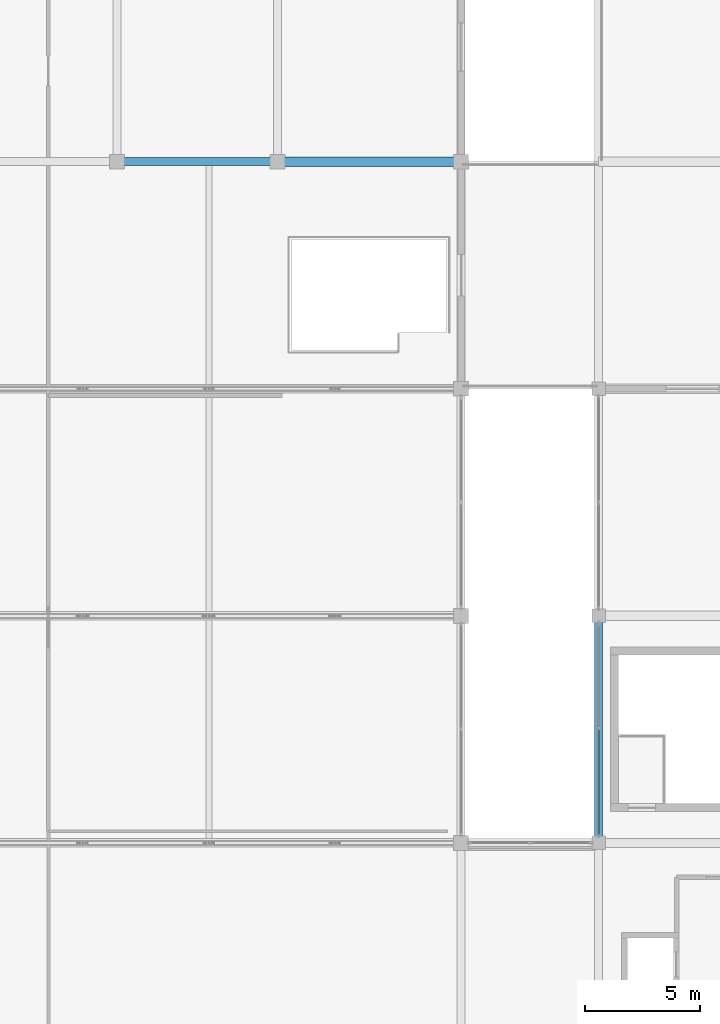
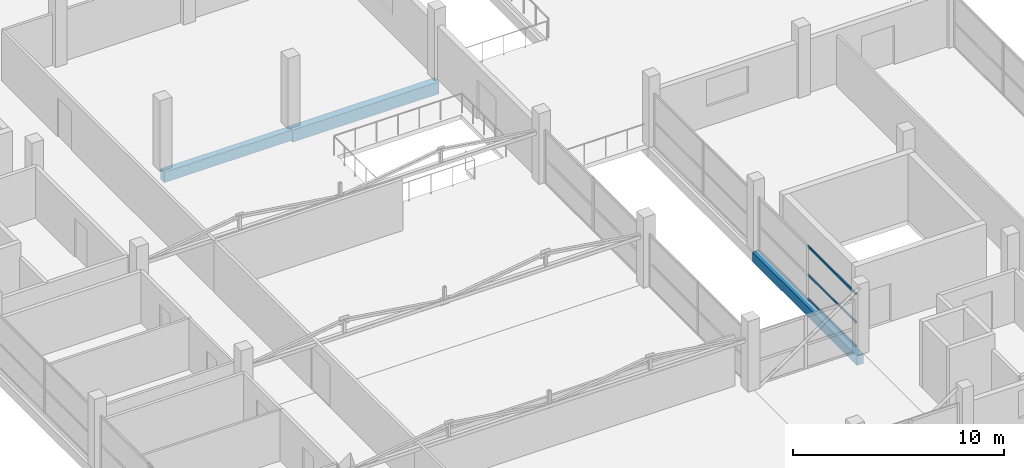
# One storey, part 29 of 53: 3 beams, 3 members, 1 element without a shape of its own.
"""IFC4 building model written with IfcOpenShell, lengths in metres."""

from ifc_helpers import new_model, si_unit, direction, frame, origin, origin_2d, place, context, subcontext, project, spatial, rectangle, hollow_rectangle, extrude, material, layer, layer_set, material_profile, profile_set, type_object, element, aggregate, save


model = new_model("IFC4")

# Units and contexts
model_context = context("Model", 3, precision=1e-05, world=origin(), true_north=direction((0.0, 1.0)))
body_context = subcontext(model_context, "Body", "Model", "MODEL_VIEW")
ifc_project = project(units=[si_unit("LENGTHUNIT", "METRE"), si_unit("AREAUNIT", "SQUARE_METRE"), si_unit("VOLUMEUNIT", "CUBIC_METRE"), si_unit("PLANEANGLEUNIT", "RADIAN"), si_unit("MASSUNIT", "GRAM", prefix="KILO")], contexts=[model_context])

# Site, building, storey
site_placement = place(None, origin())
site = spatial("IfcSite", under=ifc_project, at=site_placement, CompositionType="ELEMENT")
building_placement = place(site_placement, origin())
building = spatial("IfcBuilding", under=site, at=building_placement, Name="Sillaruma Civic Art Gallery", CompositionType="ELEMENT")
storey_placement = place(building_placement, frame((0.0, 0.0, 70.3798828125)))
storey = spatial("IfcBuildingStorey", under=building, at=storey_placement, Name="L14", CompositionType="ELEMENT", Elevation=70.3798828125)

# Beams
ifc_material_1 = material(Name="Concrete H35 (35 MPa)", Category="concrete")
ifc_material_profile_1 = material_profile(ifc_material_1, rectangle(XDim=0.35009765625, YDim=0.60009765625, at=origin_2d()), Name="RCB350x600")
ifc_profile_set_1 = profile_set([ifc_material_profile_1], Name="Concrete H35 (35 MPa)")
beam_type_1 = type_object("IfcBeamType", Name="BM-BEAM-RCB350x600", PredefinedType="BEAM", material=ifc_profile_set_1)
beam_1_placement = place(storey_placement, frame((77.0, 79.199951171875, -0.5498046875), z_axis=(1.0, 0.0, 0.0), x_axis=(0.0, 1.0, 0.0)))
element("IfcBeam", 1, at=beam_1_placement, inside=storey, type_object=beam_type_1, Name="Beam BM-06 (L13:9:H-J)", PredefinedType="BEAM", context=body_context, shape_type="SweptSolid", body=[
    extrude(rectangle(XDim=0.35009765625, YDim=0.60009765625, at=origin_2d()), origin(), (0.0, 0.0, 1.0), 7.0),
])
ifc_material_profile_2 = material_profile(ifc_material_1, rectangle(XDim=0.39990234375, YDim=0.699951171875, at=origin_2d()), Name="RCB400x700")
ifc_profile_set_2 = profile_set([ifc_material_profile_2], Name="Concrete H35 (35 MPa)")
beam_type_2 = type_object("IfcBeamType", Name="BM-BEAM-RCB400x700", PredefinedType="BEAM", material=ifc_profile_set_2)
beam_2_placement = place(storey_placement, frame((84.0, 79.199951171875, -0.599853515625), z_axis=(1.0, 0.0, 0.0), x_axis=(0.0, 1.0, 0.0)))
element("IfcBeam", 2, at=beam_2_placement, inside=storey, type_object=beam_type_2, Name="Beam BM-04 (L13:9:J-K)", PredefinedType="BEAM", context=body_context, shape_type="SweptSolid", body=[
    extrude(rectangle(XDim=0.39990234375, YDim=0.699951171875, at=origin_2d()), origin(), (0.0, 0.0, 1.0), 8.0),
])
ifc_material_profile_3 = material_profile(ifc_material_1, rectangle(XDim=0.35009765625, YDim=0.550048828125, at=origin_2d()), Name="RCB350x550")
ifc_profile_set_3 = profile_set([ifc_material_profile_3], Name="Concrete H35 (35 MPa)")
beam_type_3 = type_object("IfcBeamType", Name="BM-SPANDREL-RCB350x550", PredefinedType="SPANDREL", material=ifc_profile_set_3)
beam_3_placement = place(storey_placement, frame((98.0, 49.5, -0.52490234375), z_axis=(0.0, 1.0, 0.0), x_axis=(-1.0, 0.0, 0.0)))
element("IfcBeam", 3, at=beam_3_placement, inside=storey, type_object=beam_type_3, Name="Beam BS-04 (L13:L:6-7)", PredefinedType="SPANDREL", context=body_context, shape_type="SweptSolid", body=[
    extrude(rectangle(XDim=0.35009765625, YDim=0.550048828125, at=origin_2d()), origin(), (0.0, 0.0, 1.0), 9.89990234375),
])

# Curtain wall, members
ifc_material_2 = material(Name="Thermally Broken Extruded Aluminium 6063-T6", Category="aluminium")
ifc_layer = layer(ifc_material_2, 0.179931640625, Name="Thermally Broken Extruded Aluminium 6063-T6")
ifc_layer_set = layer_set([ifc_layer], Name="Thermally Broken Extruded Aluminium 6063-T6")
curtain_wall_type = type_object("IfcCurtainWallType", Name="CW-UNI-100", PredefinedType="NOTDEFINED", material=ifc_layer_set)
curtain_wall_placement = place(storey_placement, origin())
curtain_wall = element("IfcCurtainWall", 4, at=curtain_wall_placement, inside=storey, type_object=curtain_wall_type, Name="Unitised Curtain Wall CW-100 (CW-L14-EHH-W1)", PredefinedType="NOTDEFINED")
ifc_material_profile_4 = material_profile(ifc_material_2, hollow_rectangle(XDim=0.06494140625, YDim=0.1201171875, WallThickness=0.00341796875, at=origin_2d()), Name="CWT65x120")
ifc_profile_set_4 = profile_set([ifc_material_profile_4], Name="Thermally Broken Extruded Aluminium 6063-T6")
member_type = type_object("IfcMemberType", Name="MEM-TRN-CWT65x120", PredefinedType="USERDEFINED", material=ifc_profile_set_4)
member_1_placement = place(storey_placement, frame((98.0, 49.8701171875, 0.03271484375), z_axis=(0.0, 1.0, 0.0), x_axis=(-1.0, 0.0, 0.0)))
member_1 = element("IfcMember", 5, at=member_1_placement, type_object=member_type, Name="CW-100 transom 1.1", ObjectType="TRANSOM", PredefinedType="USERDEFINED", context=body_context, shape_type="SweptSolid", body=[
    extrude(hollow_rectangle(XDim=0.06494140625, YDim=0.1201171875, WallThickness=0.00341796875, at=origin_2d()), origin(), (0.0, 0.0, 1.0), 4.544921875),
])
member_2_placement = place(storey_placement, frame((98.0, 49.8701171875, 1.4169921875), z_axis=(0.0, 1.0, 0.0), x_axis=(-1.0, 0.0, 0.0)))
member_2 = element("IfcMember", 6, at=member_2_placement, type_object=member_type, Name="CW-100 transom 1.2", ObjectType="TRANSOM", PredefinedType="USERDEFINED", context=body_context, shape_type="SweptSolid", body=[
    extrude(hollow_rectangle(XDim=0.06494140625, YDim=0.1201171875, WallThickness=0.00341796875, at=origin_2d()), origin(), (0.0, 0.0, 1.0), 4.544921875),
])
member_3_placement = place(storey_placement, frame((98.0, 49.8701171875, 3.047607421875), z_axis=(0.0, 1.0, 0.0), x_axis=(-1.0, 0.0, 0.0)))
member_3 = element("IfcMember", 7, at=member_3_placement, type_object=member_type, Name="CW-100 transom 1.3", ObjectType="TRANSOM", PredefinedType="USERDEFINED", context=body_context, shape_type="SweptSolid", body=[
    extrude(hollow_rectangle(XDim=0.06494140625, YDim=0.1201171875, WallThickness=0.00341796875, at=origin_2d()), origin(), (0.0, 0.0, 1.0), 4.544921875),
])
aggregate(curtain_wall, [member_1, member_2, member_3])

save(model, "model.ifc")
